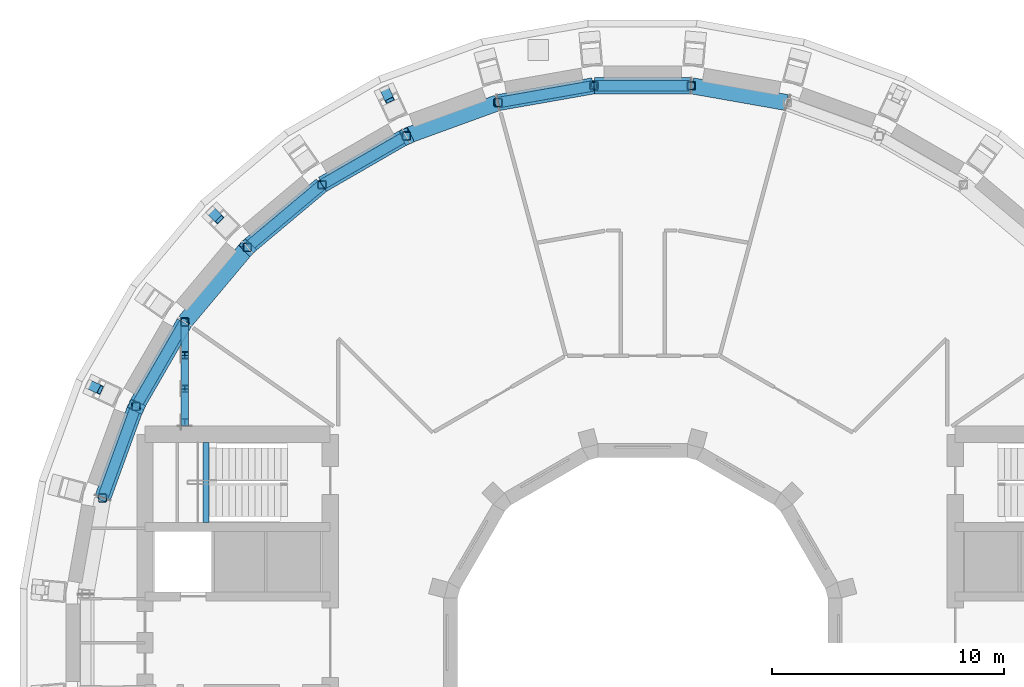
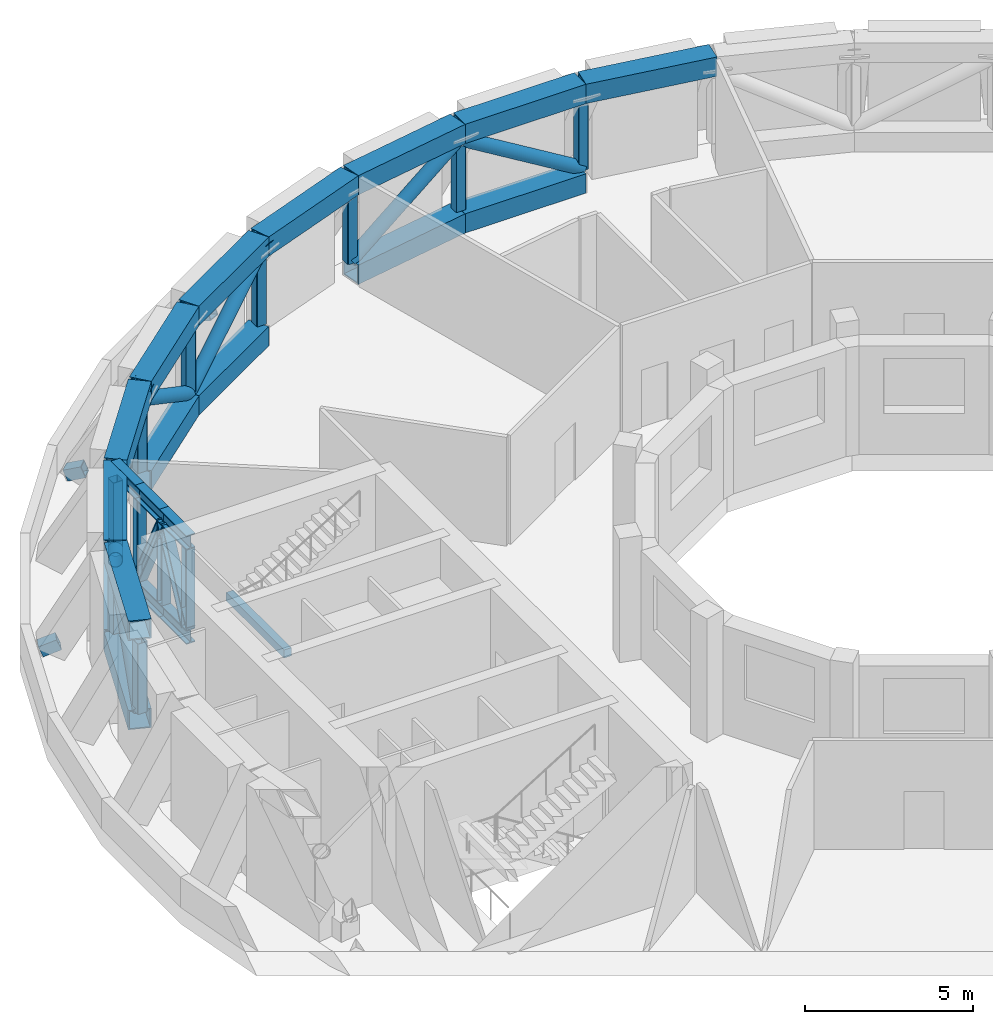
# One storey, part 5 of 20: 40 members, 7 beams.
"""IFC4 building model written with IfcOpenShell, lengths in metres."""

from ifc_helpers import new_model, si_unit, direction, frame, origin, origin_2d, place, context, subcontext, project, spatial, rectangle, hollow_rectangle, hollow_circle, i_section, extrude, material, material_profile, profile_set, type_object, element, save


model = new_model("IFC4")

# Units and contexts
model_context = context("Model", 3, precision=1e-05, world=origin(), true_north=direction((0.0, 1.0)))
body_context = subcontext(model_context, "Body", "Model", "MODEL_VIEW")
ifc_project = project(units=[si_unit("LENGTHUNIT", "METRE"), si_unit("AREAUNIT", "SQUARE_METRE"), si_unit("VOLUMEUNIT", "CUBIC_METRE"), si_unit("PLANEANGLEUNIT", "RADIAN"), si_unit("MASSUNIT", "GRAM", prefix="KILO")], contexts=[model_context])

# Site, building, storey
site_placement = place(None, origin())
site = spatial("IfcSite", under=ifc_project, at=site_placement, CompositionType="ELEMENT")
building_placement = place(site_placement, origin())
building = spatial("IfcBuilding", under=site, at=building_placement, Name="Saqina Gate Tower", CompositionType="ELEMENT")
storey_placement = place(building_placement, frame((0.0, 0.0, 151.300048828125)))
storey = spatial("IfcBuildingStorey", under=building, at=storey_placement, Name="L43", CompositionType="ELEMENT", Elevation=151.300048828125)

# Beam
ifc_material_1 = material(Name="Concrete C40/50", Category="concrete")
ifc_material_profile_1 = material_profile(ifc_material_1, rectangle(XDim=0.25, YDim=0.300048828125, at=origin_2d()), Name="STAIR LANDING BEAM")
ifc_profile_set_1 = profile_set([ifc_material_profile_1], Name="Concrete C40/50")
beam_type_1 = type_object("IfcBeamType", Name="STAIR LANDING BEAM", PredefinedType="BEAM", material=ifc_profile_set_1)
beam_placement = place(storey_placement, frame((-18.860107421875, 5.199951171875, 1.849853515625), z_axis=(0.0, 1.0, 0.0), x_axis=(-1.0, 0.0, 0.0)))
element("IfcBeam", 1, at=beam_placement, inside=storey, type_object=beam_type_1, Name="EXIT STAIR 3 LANDING BEAM", PredefinedType="BEAM", context=body_context, shape_type="SweptSolid", body=[
    extrude(rectangle(XDim=0.25, YDim=0.300048828125, at=origin_2d()), origin(), (0.0, 0.0, 1.0), 3.449951171875),
])

# Members
ifc_material_2 = material(Name="Steel S460", Category="steel")
ifc_material_profile_2 = material_profile(ifc_material_2, hollow_rectangle(XDim=0.699951171875, YDim=0.699951171875, WallThickness=0.0400390625, at=origin_2d()), Name="BOX 700x700x40")
ifc_profile_set_2 = profile_set([ifc_material_profile_2], Name="Steel S460")
member_type_1 = type_object("IfcMemberType", Name="STR-BELT TRUSS L43 CHORD-BOX 700x700x40", PredefinedType="CHORD", material=ifc_profile_set_2)
member_1_placement = place(storey_placement, frame((6.22021484375, 23.33251953125, 3.599853515625), z_axis=(-0.984812577336, 0.173620815343, 0.0), x_axis=(-0.173620815343, -0.984812577336, 0.0)))
element("IfcMember", 2, at=member_1_placement, inside=storey, type_object=member_type_1, Name="BELT TRUSS L43 CHORD 018", PredefinedType="CHORD", context=body_context, shape_type="SweptSolid", body=[
    extrude(hollow_rectangle(XDim=0.699951171875, YDim=0.699951171875, WallThickness=0.0400390625, at=origin_2d()), origin(), (0.0, 0.0, 1.0), 4.148193359375),
])
for number, where, z_axis, x_axis, name in (
    (3, (2.07421875, 24.05810546875, 0.349853515625), (-1.0, 0.0, 0.0), (0.0, -1.0, 0.0), "BELT TRUSS L43 CHORD 019"),
    (4, (2.07421875, 24.05810546875, 3.599853515625), (-1.0, 0.0, 0.0), (0.0, -1.0, 0.0), "BELT TRUSS L43 CHORD 020"),
):
    element("IfcMember", number, at=place(storey_placement, frame(where, z_axis=z_axis, x_axis=x_axis)), inside=storey, type_object=member_type_1, Name=name, PredefinedType="CHORD", context=body_context, shape_type="SweptSolid", body=[
        extrude(hollow_rectangle(XDim=0.699951171875, YDim=0.699951171875, WallThickness=0.0400390625, at=origin_2d()), origin(), (0.0, 0.0, 1.0), 4.1484375),
    ])
for number, where, z_axis, x_axis, name in (
    (5, (-2.135009765625, 24.052734375, 0.349853515625), (-0.984812577336, -0.173620815343, 0.0), (0.173620815343, -0.984812577336, 0.0), "BELT TRUSS L43 CHORD 022"),
    (6, (-2.135009765625, 24.052734375, 3.599853515625), (-0.984812577336, -0.173620815343, 0.0), (0.173620815343, -0.984812577336, 0.0), "BELT TRUSS L43 CHORD 023"),
):
    element("IfcMember", number, at=place(storey_placement, frame(where, z_axis=z_axis, x_axis=x_axis)), inside=storey, type_object=member_type_1, Name=name, PredefinedType="CHORD", context=body_context, shape_type="SweptSolid", body=[
        extrude(hollow_rectangle(XDim=0.699951171875, YDim=0.699951171875, WallThickness=0.0400390625, at=origin_2d()), origin(), (0.0, 0.0, 1.0), 4.148193359375),
    ])
for number, where, z_axis, x_axis, name in (
    (7, (-6.279296875, 23.316650390625, 3.599853515625), (-0.939683403968, -0.342045465263, 0.0), (0.342045465263, -0.939683403968, 0.0), "BELT TRUSS L43 CHORD 025"),
    (8, (-10.232666015625, 21.8720703125, 0.349853515625), (-0.866032706045, -0.4999873519, 0.0), (0.4999873519, -0.866032706045, 0.0), "BELT TRUSS L43 CHORD 026"),
    (9, (-10.232666015625, 21.8720703125, 3.599853515625), (-0.866032706045, -0.4999873519, 0.0), (0.4999873519, -0.866032706045, 0.0), "BELT TRUSS L43 CHORD 027"),
):
    element("IfcMember", number, at=place(storey_placement, frame(where, z_axis=z_axis, x_axis=x_axis)), inside=storey, type_object=member_type_1, Name=name, PredefinedType="CHORD", context=body_context, shape_type="SweptSolid", body=[
        extrude(hollow_rectangle(XDim=0.699951171875, YDim=0.699951171875, WallThickness=0.0400390625, at=origin_2d()), origin(), (0.0, 0.0, 1.0), 4.1484375),
    ])
for number, where, z_axis, x_axis, name in (
    (10, (-13.875244140625, 19.762939453125, 0.349853515625), (-0.766031690049, -0.642802807898, 0.0), (0.642802807898, -0.766031690049, 0.0), "BELT TRUSS L43 CHORD 029"),
    (11, (-13.875244140625, 19.762939453125, 3.599853515625), (-0.766031690049, -0.642802807898, 0.0), (0.642802807898, -0.766031690049, 0.0), "BELT TRUSS L43 CHORD 030"),
    (12, (-17.09619140625, 17.05322265625, 3.599853515625), (-0.642802807898, -0.766031690049, 0.0), (0.766031690049, -0.642802807898, 0.0), "BELT TRUSS L43 CHORD 032"),
):
    element("IfcMember", number, at=place(storey_placement, frame(where, z_axis=z_axis, x_axis=x_axis)), inside=storey, type_object=member_type_1, Name=name, PredefinedType="CHORD", context=body_context, shape_type="SweptSolid", body=[
        extrude(hollow_rectangle(XDim=0.699951171875, YDim=0.699951171875, WallThickness=0.0400390625, at=origin_2d()), origin(), (0.0, 0.0, 1.0), 4.148681640625),
    ])
for number, where, z_axis, x_axis, name in (
    (13, (-19.7978515625, 13.825439453125, 0.349853515625), (-0.4999873519, -0.866032706045, 0.0), (0.866032706045, -0.4999873519, 0.0), "BELT TRUSS L43 CHORD 033"),
    (14, (-19.7978515625, 13.825439453125, 3.599853515625), (-0.4999873519, -0.866032706045, 0.0), (0.866032706045, -0.4999873519, 0.0), "BELT TRUSS L43 CHORD 034"),
    (15, (-21.897705078125, 10.177490234375, 0.349853515625), (-0.342045465263, -0.939683403968, 0.0), (0.939683403968, -0.342045465263, 0.0), "BELT TRUSS L43 CHORD 036"),
    (16, (-21.897705078125, 10.177490234375, 3.599853515625), (-0.342045465263, -0.939683403968, 0.0), (0.939683403968, -0.342045465263, 0.0), "BELT TRUSS L43 CHORD 037"),
):
    element("IfcMember", number, at=place(storey_placement, frame(where, z_axis=z_axis, x_axis=x_axis)), inside=storey, type_object=member_type_1, Name=name, PredefinedType="CHORD", context=body_context, shape_type="SweptSolid", body=[
        extrude(hollow_rectangle(XDim=0.699951171875, YDim=0.699951171875, WallThickness=0.0400390625, at=origin_2d()), origin(), (0.0, 0.0, 1.0), 4.1484375),
    ])
ifc_material_3 = material(Name="Steel S460", Category="steel")
ifc_material_profile_3 = material_profile(ifc_material_3, hollow_circle(Radius=0.228515625, WallThickness=0.02001953125, at=origin_2d()), Name="CHS 457x20")
ifc_profile_set_3 = profile_set([ifc_material_profile_3], Name="Steel S460")
member_type_2 = type_object("IfcMemberType", Name="STR-BELT TRUSS L43 DIAGONAL-CHS 457x20", PredefinedType="BRACE", material=ifc_profile_set_3)
for number, where, z_axis, x_axis, name in (
    (17, (2.114990234375, 24.05810546875, 0.69384765625), (-0.855320477382, 0.0, 0.51809929644), (0.0, -1.0, 0.0), "BELT TRUSS L43 DIAGONAL 021"),
    (18, (-2.0947265625, 24.059814453125, 3.256103515625), (-0.842333284872, -0.148493144283, -0.518096924617), (0.173610826332, -0.98481433833, 0.0), "BELT TRUSS L43 DIAGONAL 024"),
):
    element("IfcMember", number, at=place(storey_placement, frame(where, z_axis=z_axis, x_axis=x_axis)), inside=storey, type_object=member_type_2, Name=name, PredefinedType="BRACE", context=body_context, shape_type="SweptSolid", body=[
        extrude(hollow_circle(Radius=0.228515625, WallThickness=0.02001953125, at=origin_2d()), origin(), (0.0, 0.0, 1.0), 4.945556640625),
    ])
member_2_placement = place(storey_placement, frame((-10.197265625, 21.892578125, 3.256103515625), z_axis=(-0.740741335125, -0.427681122719, -0.518064794892), x_axis=(0.500012199891, -0.86601836006, 0.0)))
element("IfcMember", 19, at=member_2_placement, inside=storey, type_object=member_type_2, Name="BELT TRUSS L43 DIAGONAL 028", PredefinedType="BRACE", context=body_context, shape_type="SweptSolid", body=[
    extrude(hollow_circle(Radius=0.228515625, WallThickness=0.02001953125, at=origin_2d()), origin(), (0.0, 0.0, 1.0), 4.94580078125),
])
member_3_placement = place(storey_placement, frame((-13.843994140625, 19.7890625, 0.69384765625), z_axis=(-0.655226878482, -0.549782396267, 0.51808981313), x_axis=(0.64277509834, -0.766054941211, 0.0)))
element("IfcMember", 20, at=member_3_placement, inside=storey, type_object=member_type_2, Name="BELT TRUSS L43 DIAGONAL 031", PredefinedType="BRACE", context=body_context, shape_type="SweptSolid", body=[
    extrude(hollow_circle(Radius=0.228515625, WallThickness=0.02001953125, at=origin_2d()), origin(), (0.0, 0.0, 1.0), 4.945556640625),
])
member_4_placement = place(storey_placement, frame((-19.77734375, 13.86083984375, 0.69384765625), z_axis=(-0.427681122719, -0.740741335125, 0.518064794892), x_axis=(0.86601836006, -0.500012199891, 0.0)))
element("IfcMember", 21, at=member_4_placement, inside=storey, type_object=member_type_2, Name="BELT TRUSS L43 DIAGONAL 035", PredefinedType="BRACE", context=body_context, shape_type="SweptSolid", body=[
    extrude(hollow_circle(Radius=0.228515625, WallThickness=0.02001953125, at=origin_2d()), origin(), (0.0, 0.0, 1.0), 4.94580078125),
])
member_5_placement = place(storey_placement, frame((-21.8837890625, 10.2158203125, 3.256103515625), z_axis=(-0.292533729766, -0.803751972333, -0.518079901096), x_axis=(0.939695650784, -0.34201181836, 0.0)))
element("IfcMember", 22, at=member_5_placement, inside=storey, type_object=member_type_2, Name="BELT TRUSS L43 DIAGONAL 038", PredefinedType="BRACE", context=body_context, shape_type="SweptSolid", body=[
    extrude(hollow_circle(Radius=0.228515625, WallThickness=0.02001953125, at=origin_2d()), origin(), (0.0, 0.0, 1.0), 4.945556640625),
])
ifc_material_4 = material(Name="Steel S460", Category="steel")
ifc_material_profile_4 = material_profile(ifc_material_4, hollow_rectangle(XDim=0.35009765625, YDim=0.35009765625, WallThickness=0.01611328125, InnerFilletRadius=0.031982421875, OuterFilletRadius=0.048095703125, at=origin_2d()), Name="SHS 350x350x16")
ifc_profile_set_4 = profile_set([ifc_material_profile_4], Name="Steel S460")
member_type_3 = type_object("IfcMemberType", Name="STR-BELT TRUSS L43 POST-SHS 350x350x16", PredefinedType="POST", material=ifc_profile_set_4)
for number, where, z_axis, x_axis, name in (
    (23, (2.104736328125, 24.05810546875, 0.699951171875), (0.0, 0.0, 1.0), (1.0, 0.0, 0.0), "BELT TRUSS L43 POST 092"),
    (24, (-2.104736328125, 24.05810546875, 0.699951171875), (0.0, 0.0, 1.0), (1.0, 0.0, 0.0), "BELT TRUSS L43 POST 093"),
    (25, (-6.25048828125, 23.3271484375, 0.699951171875), (0.0, 0.0, 1.0), (1.0, 0.0, 0.0), "BELT TRUSS L43 POST 094"),
    (26, (-10.206298828125, 21.887451171875, 0.699951171875), (0.0, 0.0, 1.0), (1.0, 0.0, 0.0), "BELT TRUSS L43 POST 095"),
    (27, (-13.851806640625, 19.782470703125, 0.699951171875), (0.0, 0.0, 1.0), (1.0, 0.0, 0.0), "BELT TRUSS L43 POST 096"),
    (28, (-17.07666015625, 17.07666015625, 0.699951171875), (0.0, 0.0, 1.0), (1.0, 0.0, 0.0), "BELT TRUSS L43 POST 097"),
    (29, (-19.782470703125, 13.851806640625, 0.699951171875), (0.0, 0.0, 1.0), (1.0, 0.0, 0.0), "BELT TRUSS L43 POST 098"),
    (30, (-21.887451171875, 10.206298828125, 0.699951171875), (0.0, 0.0, 1.0), (1.0, 0.0, 0.0), "BELT TRUSS L43 POST 099"),
    (31, (-23.3271484375, 6.25048828125, 0.699951171875), (0.0, 0.0, 1.0), (1.0, 0.0, 0.0), "BELT TRUSS L43 POST 100"),
):
    element("IfcMember", number, at=place(storey_placement, frame(where, z_axis=z_axis, x_axis=x_axis)), inside=storey, type_object=member_type_3, Name=name, PredefinedType="POST", context=body_context, shape_type="SweptSolid", body=[
        extrude(hollow_rectangle(XDim=0.35009765625, YDim=0.35009765625, WallThickness=0.01611328125, InnerFilletRadius=0.031982421875, OuterFilletRadius=0.048095703125, at=origin_2d()), origin(), (0.0, 0.0, 1.0), 2.550048828125),
    ])

# Beams
ifc_material_5 = material(Name="Steel S460", Category="steel")
ifc_material_profile_5 = material_profile(ifc_material_5, hollow_rectangle(XDim=0.39990234375, YDim=0.39990234375, WallThickness=0.030029296875, at=origin_2d()), Name="BOX 400x400x30")
ifc_profile_set_5 = profile_set([ifc_material_profile_5], Name="Steel S460")
beam_type_2 = type_object("IfcBeamType", Name="STR-NODE TIE BEAM L43-BOX 400x400x30", PredefinedType="BEAM", material=ifc_profile_set_5)
for number, where, z_axis, x_axis, name in (
    (32, (-11.1572265625, 23.926513671875, 0.185302734375), (0.39155197943, -0.839862544112, 0.37592280378), (0.906341825437, 0.42254525848, 0.0), "NODE TIE BEAM L43 12 FOOT"),
    (33, (-10.079345703125, 21.615478515625, 3.54150390625), (-0.39155197943, 0.839862544112, 0.37592280378), (-0.906341825437, -0.42254525848, 0.0), "NODE TIE BEAM L43 12 HEAD"),
    (34, (-18.667724609375, 18.667724609375, 0.185302734375), (0.655234170269, -0.655234170269, 0.375947289156), (0.707106781187, 0.707106781187, 0.0), "NODE TIE BEAM L43 14 FOOT"),
    (35, (-16.864501953125, 16.864501953125, 3.54150390625), (-0.655234170269, 0.655234170269, 0.375947289156), (-0.707106781187, -0.707106781187, 0.0), "NODE TIE BEAM L43 14 HEAD"),
    (36, (-23.926513671875, 11.1572265625, 0.185302734375), (0.839862544112, -0.39155197943, 0.37592280378), (0.42254525848, 0.906341825437, 0.0), "NODE TIE BEAM L43 16 FOOT"),
    (37, (-21.615478515625, 10.079345703125, 3.54150390625), (-0.839862544112, 0.39155197943, 0.37592280378), (-0.42254525848, -0.906341825437, 0.0), "NODE TIE BEAM L43 16 HEAD"),
):
    element("IfcBeam", number, at=place(storey_placement, frame(where, z_axis=z_axis, x_axis=x_axis)), inside=storey, type_object=beam_type_2, Name=name, PredefinedType="BEAM", context=body_context, shape_type="SweptSolid", body=[
        extrude(hollow_rectangle(XDim=0.39990234375, YDim=0.39990234375, WallThickness=0.030029296875, at=origin_2d()), origin(), (0.0, 0.0, 1.0), 0.593505859375),
    ])

# Members
ifc_material_6 = material(Name="Steel S460", Category="steel")
ifc_material_profile_6 = material_profile(ifc_material_6, i_section(OverallWidth=0.305908203125, OverallDepth=0.52392578125, WebThickness=0.02099609375, FlangeThickness=0.0400390625, FilletRadius=0.027099609375, at=origin_2d()), Name="HE 500 M")
ifc_profile_set_6 = profile_set([ifc_material_profile_6], Name="Steel S460")
member_type_4 = type_object("IfcMemberType", Name="STR-OUTRIGGER TRUSS L43 CHORD-HE 500 M", PredefinedType="CHORD", material=ifc_profile_set_6)
for number, where, z_axis, x_axis, name in (
    (38, (-19.782470703125, 9.367919921875, 0.261962890625), (0.0, 1.0, 0.0), (-1.0, 0.0, 0.0), "OUTRIGGER TRUSS L43 CHORD 140"),
    (39, (-19.782470703125, 9.367919921875, 3.68798828125), (0.0, 1.0, 0.0), (-1.0, 0.0, 0.0), "OUTRIGGER TRUSS L43 CHORD 141"),
):
    element("IfcMember", number, at=place(storey_placement, frame(where, z_axis=z_axis, x_axis=x_axis)), inside=storey, type_object=member_type_4, Name=name, PredefinedType="CHORD", context=body_context, shape_type="SweptSolid", body=[
        extrude(i_section(OverallWidth=0.305908203125, OverallDepth=0.52392578125, WebThickness=0.02099609375, FlangeThickness=0.0400390625, FilletRadius=0.027099609375, at=origin_2d()), origin(), (0.0, 0.0, 1.0), 1.5947265625),
    ])
for number, where, z_axis, x_axis, name in (
    (40, (-19.782470703125, 10.962646484375, 0.261962890625), (0.0, 1.0, 0.0), (-1.0, 0.0, 0.0), "OUTRIGGER TRUSS L43 CHORD 143"),
    (41, (-19.782470703125, 10.962646484375, 3.68798828125), (0.0, 1.0, 0.0), (-1.0, 0.0, 0.0), "OUTRIGGER TRUSS L43 CHORD 144"),
    (42, (-19.782470703125, 12.4072265625, 3.68798828125), (0.0, 1.0, 0.0), (-1.0, 0.0, 0.0), "OUTRIGGER TRUSS L43 CHORD 146"),
):
    element("IfcMember", number, at=place(storey_placement, frame(where, z_axis=z_axis, x_axis=x_axis)), inside=storey, type_object=member_type_4, Name=name, PredefinedType="CHORD", context=body_context, shape_type="SweptSolid", body=[
        extrude(i_section(OverallWidth=0.305908203125, OverallDepth=0.52392578125, WebThickness=0.02099609375, FlangeThickness=0.0400390625, FilletRadius=0.027099609375, at=origin_2d()), origin(), (0.0, 0.0, 1.0), 1.444580078125),
    ])
ifc_material_7 = material(Name="Steel S460", Category="steel")
ifc_material_profile_7 = material_profile(ifc_material_7, i_section(OverallWidth=0.31005859375, OverallDepth=0.340087890625, WebThickness=0.02099609375, FlangeThickness=0.0390625, FilletRadius=0.027099609375, at=origin_2d()), Name="HE 300 M")
ifc_profile_set_7 = profile_set([ifc_material_profile_7], Name="Steel S460")
member_type_5 = type_object("IfcMemberType", Name="STR-OUTRIGGER TRUSS L43 DIAGONAL-HE 300 M", PredefinedType="BRACE", material=ifc_profile_set_7)
for number, where, z_axis, x_axis, name in (
    (43, (-19.782470703125, 9.5126953125, 0.51318359375), (0.0, 0.445628039484, 0.89521821386), (-1.0, 0.0, 0.0), "OUTRIGGER TRUSS L43 DIAGONAL 142"),
    (44, (-19.782470703125, 10.957275390625, 3.436767578125), (0.0, 0.445628039484, -0.89521821386), (-1.0, 0.0, 0.0), "OUTRIGGER TRUSS L43 DIAGONAL 145"),
):
    element("IfcMember", number, at=place(storey_placement, frame(where, z_axis=z_axis, x_axis=x_axis)), inside=storey, type_object=member_type_5, Name=name, PredefinedType="BRACE", context=body_context, shape_type="SweptSolid", body=[
        extrude(i_section(OverallWidth=0.31005859375, OverallDepth=0.340087890625, WebThickness=0.02099609375, FlangeThickness=0.0390625, FilletRadius=0.027099609375, at=origin_2d()), origin(), (0.0, 0.0, 1.0), 3.265869140625),
    ])
ifc_material_8 = material(Name="Steel S460", Category="steel")
ifc_material_profile_8 = material_profile(ifc_material_8, i_section(OverallWidth=0.300048828125, OverallDepth=0.300048828125, WebThickness=0.010986328125, FlangeThickness=0.01904296875, FilletRadius=0.027099609375, at=origin_2d()), Name="HE 300 B")
ifc_profile_set_8 = profile_set([ifc_material_profile_8], Name="Steel S460")
member_type_6 = type_object("IfcMemberType", Name="STR-OUTRIGGER TRUSS L43 POST-HE 300 B", PredefinedType="POST", material=ifc_profile_set_8)
for number, where, z_axis, x_axis, name in (
    (45, (-19.782470703125, 9.51806640625, 0.52392578125), (0.0, 0.0, 1.0), (1.0, 0.0, 0.0), "OUTRIGGER TRUSS L43 POST 147"),
    (46, (-19.782470703125, 10.962646484375, 0.52392578125), (0.0, 0.0, 1.0), (1.0, 0.0, 0.0), "OUTRIGGER TRUSS L43 POST 148"),
    (47, (-19.782470703125, 12.4072265625, 0.52392578125), (0.0, 0.0, 1.0), (1.0, 0.0, 0.0), "OUTRIGGER TRUSS L43 POST 149"),
):
    element("IfcMember", number, at=place(storey_placement, frame(where, z_axis=z_axis, x_axis=x_axis)), inside=storey, type_object=member_type_6, Name=name, PredefinedType="POST", context=body_context, shape_type="SweptSolid", body=[
        extrude(i_section(OverallWidth=0.300048828125, OverallDepth=0.300048828125, WebThickness=0.010986328125, FlangeThickness=0.01904296875, FilletRadius=0.027099609375, at=origin_2d()), origin(), (0.0, 0.0, 1.0), 2.902099609375),
    ])

save(model, "model.ifc")
